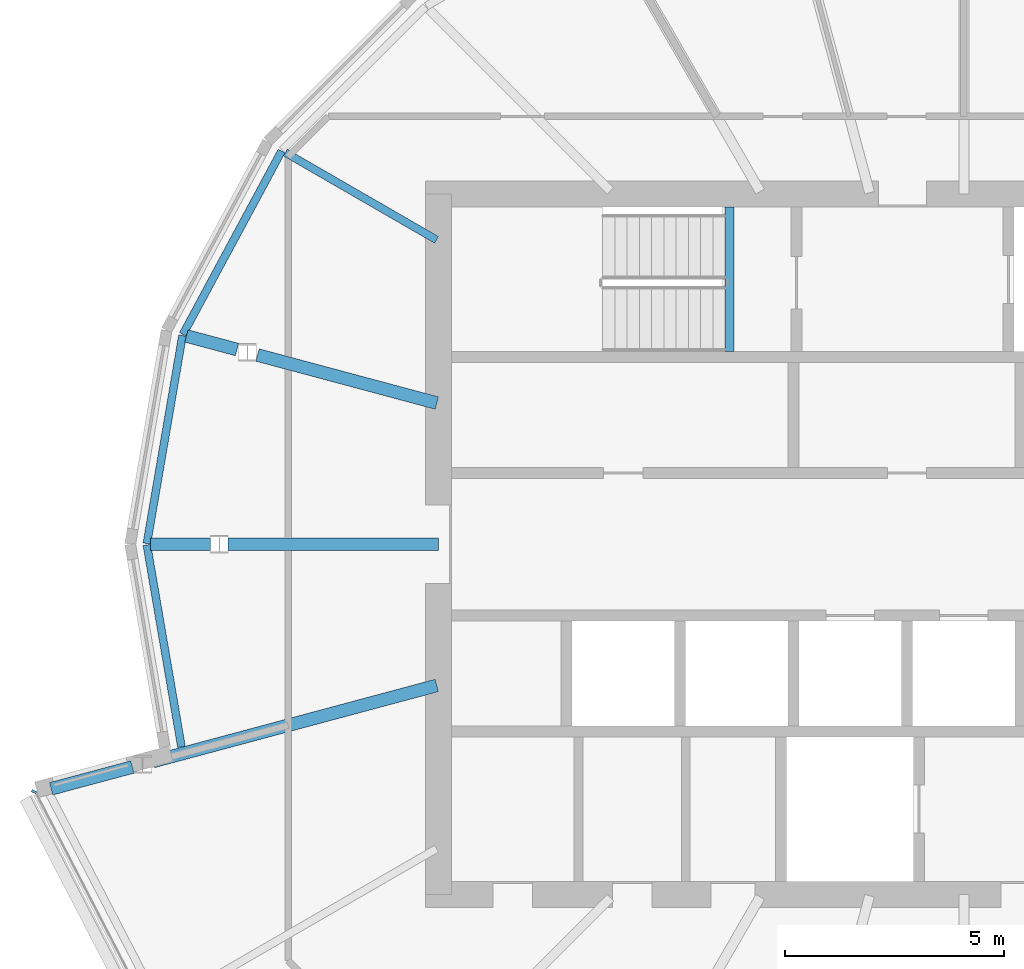
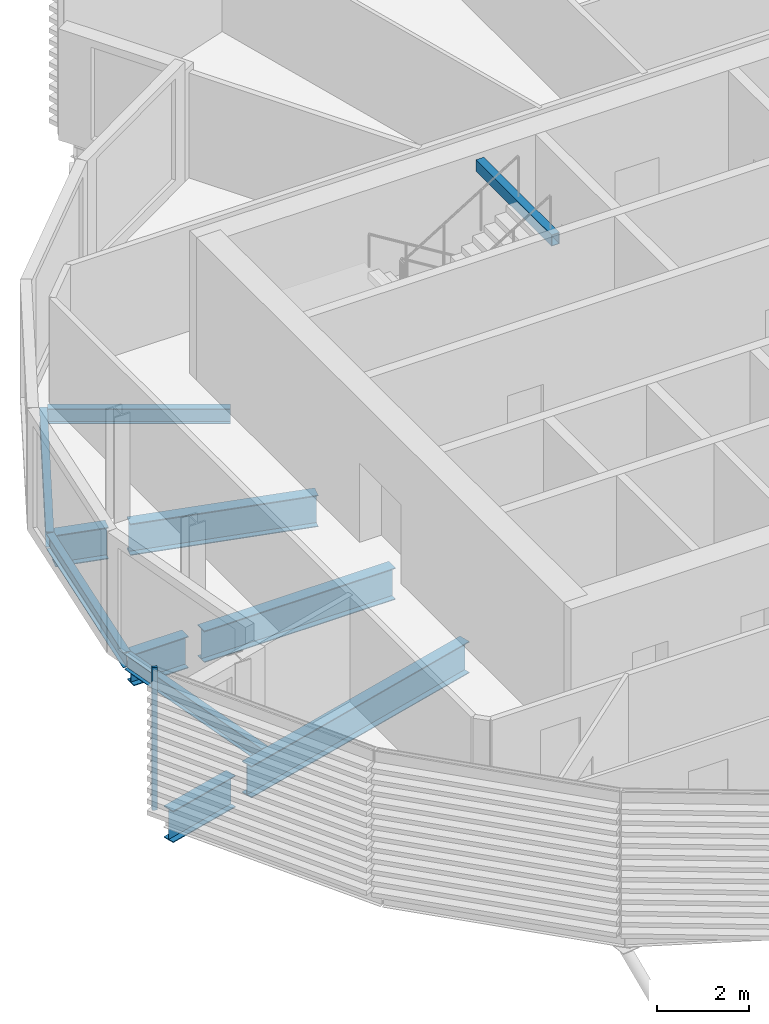
# One storey, part 5 of 37: 11 beams, 1 member, 1 element without a shape of its own.
"""IFC4 building model written with IfcOpenShell, lengths in metres."""

from ifc_helpers import new_model, si_unit, direction, frame, origin, origin_2d, place, context, subcontext, project, spatial, rectangle, hollow_rectangle, i_section, extrude, material, material_profile, profile_set, type_object, element, aggregate, save


model = new_model("IFC4")

# Units and contexts
model_context = context("Model", 3, precision=1e-05, world=origin(), true_north=direction((0.0, 1.0)))
body_context = subcontext(model_context, "Body", "Model", "MODEL_VIEW")
ifc_project = project(units=[si_unit("LENGTHUNIT", "METRE"), si_unit("AREAUNIT", "SQUARE_METRE"), si_unit("VOLUMEUNIT", "CUBIC_METRE"), si_unit("PLANEANGLEUNIT", "RADIAN"), si_unit("MASSUNIT", "GRAM", prefix="KILO")], contexts=[model_context])

# Site, building, storey
site_placement = place(None, origin())
site = spatial("IfcSite", under=ifc_project, at=site_placement, CompositionType="ELEMENT")
building_placement = place(site_placement, origin())
building = spatial("IfcBuilding", under=site, at=building_placement, Name="Rimbun Link Towers", CompositionType="ELEMENT")
storey_placement = place(building_placement, frame((0.0, 0.0, 177.89990234375)))
storey = spatial("IfcBuildingStorey", under=building, at=storey_placement, Name="L43", CompositionType="ELEMENT", Elevation=177.89990234375)

# Curtain wall, member
ifc_material_1 = material(Name="Aluminium 6063-T6 and low-iron glass", Category="aluminium")
curtain_wall_type = type_object("IfcCurtainWallType", Name="CW1-Z3 unitised vision wall (zone 3)", PredefinedType="NOTDEFINED", material=ifc_material_1)
curtain_wall_placement = place(storey_placement, origin())
curtain_wall = element("IfcCurtainWall", 1, at=curtain_wall_placement, inside=storey, type_object=curtain_wall_type, Name="CW1 L43 T1", PredefinedType="NOTDEFINED")
ifc_material_2 = material(Name="Aluminium 6063-T6", Category="aluminium")
ifc_material_profile_1 = material_profile(ifc_material_2, rectangle(XDim=0.1201171875, YDim=0.06005859375, at=origin_2d()), Name="MULLION 60X120")
ifc_profile_set_1 = profile_set([ifc_material_profile_1], Name="Aluminium 6063-T6")
member_type = type_object("IfcMemberType", Name="CW1 mullion 60X120", PredefinedType="MULLION", material=ifc_profile_set_1)
member_placement = place(storey_placement, frame((-52.989990234375, -5.65234375, 0.0), z_axis=(0.0, 0.0, 1.0), x_axis=(-0.914812198449, 0.403879488918, 0.0)))
member = element("IfcMember", 2, at=member_placement, type_object=member_type, Name="CW1 mullion", PredefinedType="MULLION", context=body_context, shape_type="SweptSolid", body=[
    extrude(rectangle(XDim=0.1201171875, YDim=0.06005859375, at=origin_2d()), origin(), (0.0, 0.0, 1.0), 3.800048828125),
])
aggregate(curtain_wall, [member])

# Beams
ifc_material_3 = material(Name="Steel S355J2", Category="steel")
ifc_material_profile_2 = material_profile(ifc_material_3, hollow_rectangle(XDim=0.199951171875, YDim=0.300048828125, WallThickness=0.011962890625, at=origin_2d()), Name="BOX 300x200x12")
ifc_profile_set_2 = profile_set([ifc_material_profile_2], Name="Steel S355J2")
beam_type_1 = type_object("IfcBeamType", Name="Stair trimmer beam BOX 300x200x12", PredefinedType="BEAM", material=ifc_profile_set_2)
beam_1_placement = place(storey_placement, frame((-37.10009765625, 7.699951171875, 3.5), z_axis=(0.0, -1.0, 0.0), x_axis=(1.0, 0.0, 0.0)))
element("IfcBeam", 3, at=beam_1_placement, inside=storey, type_object=beam_type_1, Name="L43 ST1 stair beam 1", PredefinedType="BEAM", context=body_context, shape_type="SweptSolid", body=[
    extrude(hollow_rectangle(XDim=0.199951171875, YDim=0.300048828125, WallThickness=0.011962890625, at=origin_2d()), origin(), (0.0, 0.0, 1.0), 3.300048828125),
])
ifc_material_4 = material(Name="Steel S355J2", Category="steel")
ifc_material_profile_3 = material_profile(ifc_material_4, i_section(OverallWidth=0.177978515625, OverallDepth=0.406494140625, WebThickness=0.0078125, FlangeThickness=0.0126953125, at=origin_2d()), Name="UB 406x178x60")
ifc_profile_set_3 = profile_set([ifc_material_profile_3], Name="Steel S355J2")
beam_type_2 = type_object("IfcBeamType", Name="UB 406x178x60", PredefinedType="BEAM", material=ifc_profile_set_3)
beam_2_placement = place(storey_placement, frame((-43.79541015625, 6.954345703125, -0.35302734375), z_axis=(-0.866012320003, 0.50002266109, 0.0), x_axis=(-0.50002266109, -0.866012320003, 0.0)))
element("IfcBeam", 4, at=beam_2_placement, inside=storey, type_object=beam_type_2, Name="Radial beam T1 L43 10", PredefinedType="BEAM", context=body_context, shape_type="SweptSolid", body=[
    extrude(i_section(OverallWidth=0.177978515625, OverallDepth=0.406494140625, WebThickness=0.0078125, FlangeThickness=0.0126953125, at=origin_2d()), origin(), (0.0, 0.0, 1.0), 3.989013671875),
])
beam_3_placement = place(storey_placement, frame((-47.3349609375, 8.981689453125, -0.35302734375), z_axis=(-0.474020203639, -0.880513967261, 0.0), x_axis=(0.880513967261, -0.474020203639, 0.0)))
element("IfcBeam", 5, at=beam_3_placement, inside=storey, type_object=beam_type_2, Name="Edge beam T1 L43 10 recess", PredefinedType="BEAM", context=body_context, shape_type="SweptSolid", body=[
    extrude(i_section(OverallWidth=0.177978515625, OverallDepth=0.406494140625, WebThickness=0.0078125, FlangeThickness=0.0126953125, at=origin_2d()), origin(), (0.0, 0.0, 1.0), 4.75439453125),
])
beam_4_placement = place(storey_placement, frame((-49.5986328125, 4.7666015625, -0.35302734375), z_axis=(-0.168783846977, -0.98565308958, 0.0), x_axis=(0.98565308958, -0.168783846977, 0.0)))
element("IfcBeam", 6, at=beam_4_placement, inside=storey, type_object=beam_type_2, Name="Edge beam T1 L43 11 recess", PredefinedType="BEAM", context=body_context, shape_type="SweptSolid", body=[
    extrude(i_section(OverallWidth=0.177978515625, OverallDepth=0.406494140625, WebThickness=0.0078125, FlangeThickness=0.0126953125, at=origin_2d()), origin(), (0.0, 0.0, 1.0), 4.819580078125),
])
beam_5_placement = place(storey_placement, frame((-50.412109375, -0.01611328125, -0.35302734375), z_axis=(0.168797263742, -0.985650791991, 0.0), x_axis=(0.985650791991, 0.168797263742, 0.0)))
element("IfcBeam", 7, at=beam_5_placement, inside=storey, type_object=beam_type_2, Name="Edge beam T1 L43 12 recess", PredefinedType="BEAM", context=body_context, shape_type="SweptSolid", body=[
    extrude(i_section(OverallWidth=0.177978515625, OverallDepth=0.406494140625, WebThickness=0.0078125, FlangeThickness=0.0126953125, at=origin_2d()), origin(), (0.0, 0.0, 1.0), 4.678955078125),
])
ifc_material_5 = material(Name="Steel S355J2", Category="steel")
ifc_material_profile_4 = material_profile(ifc_material_5, i_section(OverallWidth=0.29248046875, OverallDepth=0.8408203125, WebThickness=0.0126953125, FlangeThickness=0.021728515625, at=origin_2d()), Name="UB 838x292x194")
ifc_profile_set_4 = profile_set([ifc_material_profile_4], Name="Steel S355J2")
beam_type_3 = type_object("IfcBeamType", Name="UB 838x292x194", PredefinedType="BEAM", material=ifc_profile_set_4)
beam_6_placement = place(storey_placement, frame((-43.788818359375, 3.225830078125, -0.5703125), z_axis=(-0.965926457713, 0.258816688586, 0.0), x_axis=(-0.258816688586, -0.965926457713, 0.0)))
element("IfcBeam", 8, at=beam_6_placement, inside=storey, type_object=beam_type_3, Name="Radial beam T1 L43 11", PredefinedType="BEAM", context=body_context, shape_type="SweptSolid", body=[
    extrude(i_section(OverallWidth=0.29248046875, OverallDepth=0.8408203125, WebThickness=0.0126953125, FlangeThickness=0.021728515625, at=origin_2d()), origin(), (0.0, 0.0, 1.0), 4.2392578125),
])
beam_7_placement = place(storey_placement, frame((-43.7509765625, 0.0, -0.5703125), z_axis=(-1.0, 0.0, 0.0), x_axis=(0.0, -1.0, 0.0)))
element("IfcBeam", 9, at=beam_7_placement, inside=storey, type_object=beam_type_3, Name="Radial beam T1 L43 12", PredefinedType="BEAM", context=body_context, shape_type="SweptSolid", body=[
    extrude(i_section(OverallWidth=0.29248046875, OverallDepth=0.8408203125, WebThickness=0.0126953125, FlangeThickness=0.021728515625, at=origin_2d()), origin(), (0.0, 0.0, 1.0), 4.803955078125),
])
beam_8_placement = place(storey_placement, frame((-43.788818359375, -3.225830078125, -0.5703125), z_axis=(-0.965927596169, -0.25881243973, 0.0), x_axis=(0.25881243973, -0.965927596169, 0.0)))
element("IfcBeam", 10, at=beam_8_placement, inside=storey, type_object=beam_type_3, Name="Radial beam T1 L43 13", PredefinedType="BEAM", context=body_context, shape_type="SweptSolid", body=[
    extrude(i_section(OverallWidth=0.29248046875, OverallDepth=0.8408203125, WebThickness=0.0126953125, FlangeThickness=0.021728515625, at=origin_2d()), origin(), (0.0, 0.0, 1.0), 6.712646484375),
])
beam_9_placement = place(storey_placement, frame((-48.35498046875, 4.44921875, -0.5703125), z_axis=(-0.965905176539, 0.258896098725, 0.0), x_axis=(-0.258896098725, -0.965905176539, 0.0)))
element("IfcBeam", 11, at=beam_9_placement, inside=storey, type_object=beam_type_3, Name="Radial beam T1 L43 11 outer cantilever", PredefinedType="BEAM", context=body_context, shape_type="SweptSolid", body=[
    extrude(i_section(OverallWidth=0.29248046875, OverallDepth=0.8408203125, WebThickness=0.0126953125, FlangeThickness=0.021728515625, at=origin_2d()), origin(), (0.0, 0.0, 1.0), 1.19482421875),
])
beam_10_placement = place(storey_placement, frame((-48.954833984375, 0.0, -0.5703125), z_axis=(-1.0, 0.0, 0.0), x_axis=(0.0, -1.0, 0.0)))
element("IfcBeam", 12, at=beam_10_placement, inside=storey, type_object=beam_type_3, Name="Radial beam T1 L43 12 outer cantilever", PredefinedType="BEAM", context=body_context, shape_type="SweptSolid", body=[
    extrude(i_section(OverallWidth=0.29248046875, OverallDepth=0.8408203125, WebThickness=0.0126953125, FlangeThickness=0.021728515625, at=origin_2d()), origin(), (0.0, 0.0, 1.0), 1.3701171875),
])
beam_11_placement = place(storey_placement, frame((-50.744140625, -5.089599609375, -0.5703125), z_axis=(-0.965945214159, -0.258746677743, 0.0), x_axis=(0.258746677743, -0.965945214159, 0.0)))
element("IfcBeam", 13, at=beam_11_placement, inside=storey, type_object=beam_type_3, Name="Radial beam T1 L43 13 outer cantilever", PredefinedType="BEAM", context=body_context, shape_type="SweptSolid", body=[
    extrude(i_section(OverallWidth=0.29248046875, OverallDepth=0.8408203125, WebThickness=0.0126953125, FlangeThickness=0.021728515625, at=origin_2d()), origin(), (0.0, 0.0, 1.0), 1.920166015625),
])

save(model, "model.ifc")
